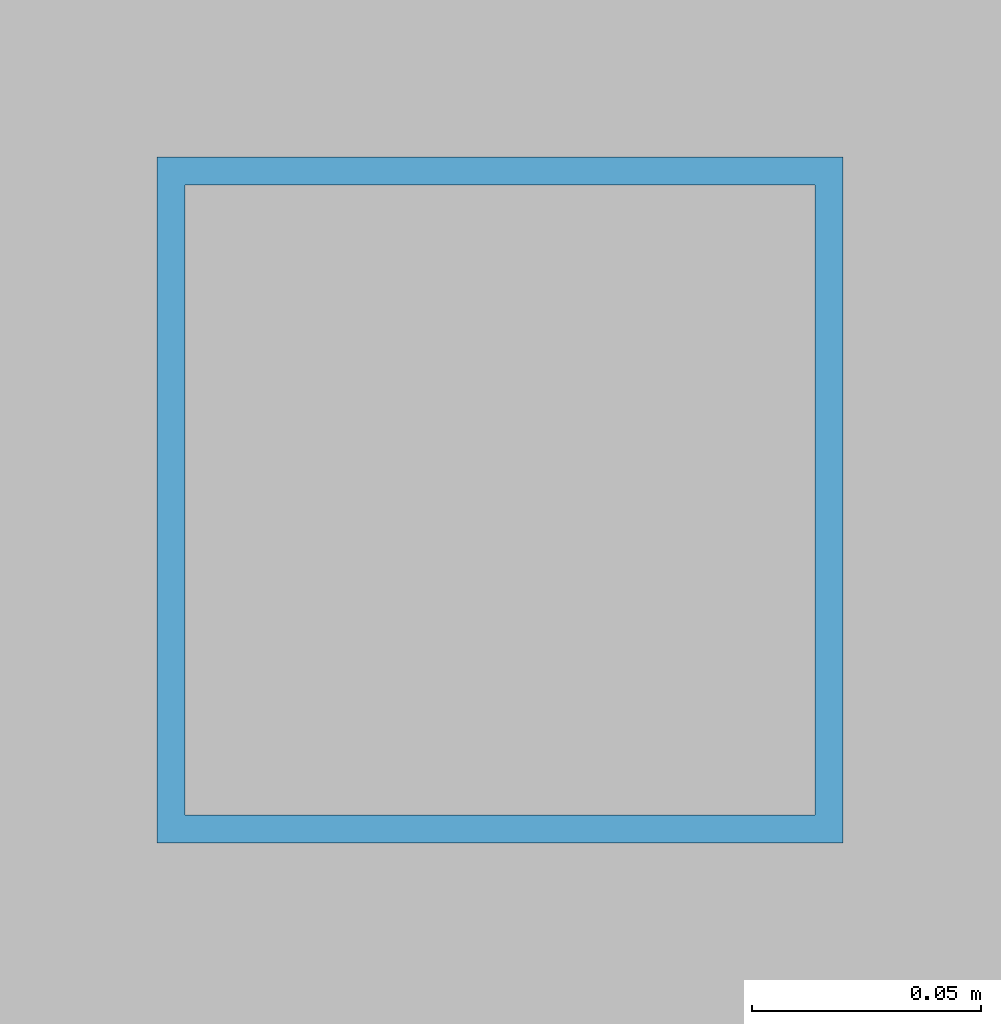
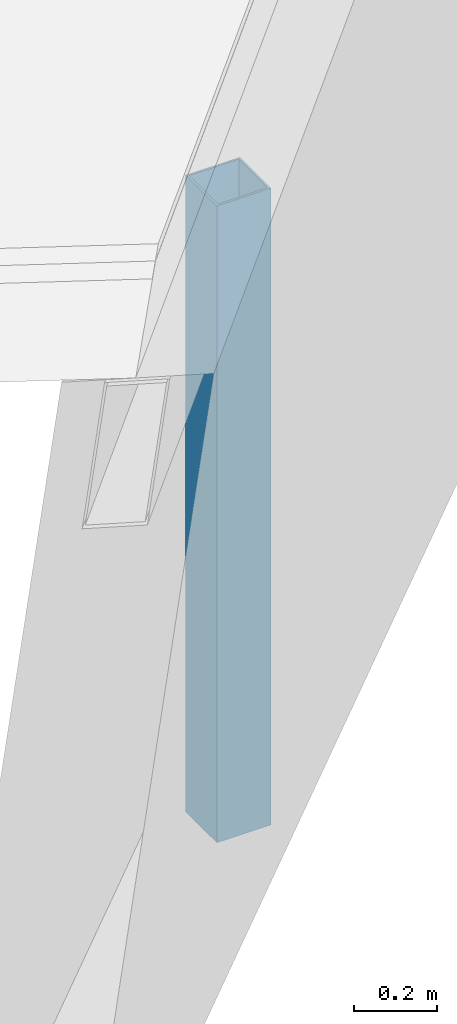
# One storey, part 61 of 93: 1 member.
"""IFC4 building model written with IfcOpenShell, lengths in metres."""

from ifc_helpers import new_model, si_unit, direction, frame, origin, origin_2d, place, context, subcontext, project, spatial, hollow_rectangle, extrude, material, material_profile, profile_set, type_object, element, save


model = new_model("IFC4")

# Units and contexts
model_context = context("Model", 3, precision=1e-05, world=origin(), true_north=direction((0.0, 1.0)))
body_context = subcontext(model_context, "Body", "Model", "MODEL_VIEW")
ifc_project = project(units=[si_unit("LENGTHUNIT", "METRE"), si_unit("AREAUNIT", "SQUARE_METRE"), si_unit("VOLUMEUNIT", "CUBIC_METRE"), si_unit("PLANEANGLEUNIT", "RADIAN"), si_unit("MASSUNIT", "GRAM", prefix="KILO")], contexts=[model_context])

# Site, building, storey
site_placement = place(None, origin())
site = spatial("IfcSite", under=ifc_project, at=site_placement, CompositionType="ELEMENT")
building_placement = place(site_placement, origin())
building = spatial("IfcBuilding", under=site, at=building_placement, Name="Vondelvale Polytechnic", CompositionType="ELEMENT")
storey_placement = place(building_placement, frame((0.0, 0.0, 18.0)))
storey = spatial("IfcBuildingStorey", under=building, at=storey_placement, Name="L04", CompositionType="ELEMENT", Elevation=18.0)

# Member
ifc_material = material(Name="Steel C350L0 (fy = 350 MPa)", Category="steel")
ifc_material_profile = material_profile(ifc_material, hollow_rectangle(XDim=0.14990234375, YDim=0.14990234375, WallThickness=0.006103515625, at=origin_2d()), Name="150x150x6.0SHS")
ifc_profile_set = profile_set([ifc_material_profile], Name="Steel C350L0 (fy = 350 MPa)")
member_type = type_object("IfcMemberType", Name="ROOF TRUSS POST 150SHS", PredefinedType="POST", material=ifc_profile_set)
member_placement = place(storey_placement, frame((128.1630859375, 98.1630859375, 0.0), z_axis=(0.0, 0.0, 1.0), x_axis=(1.0, 0.0, 0.0)))
element("IfcMember", 1, at=member_placement, inside=storey, type_object=member_type, Name="Ring mid roof post 03", PredefinedType="POST", context=body_context, shape_type="SweptSolid", body=[
    extrude(hollow_rectangle(XDim=0.14990234375, YDim=0.14990234375, WallThickness=0.006103515625, at=origin_2d()), origin(), (0.0, 0.0, 1.0), 1.86572265625),
])

save(model, "model.ifc")
